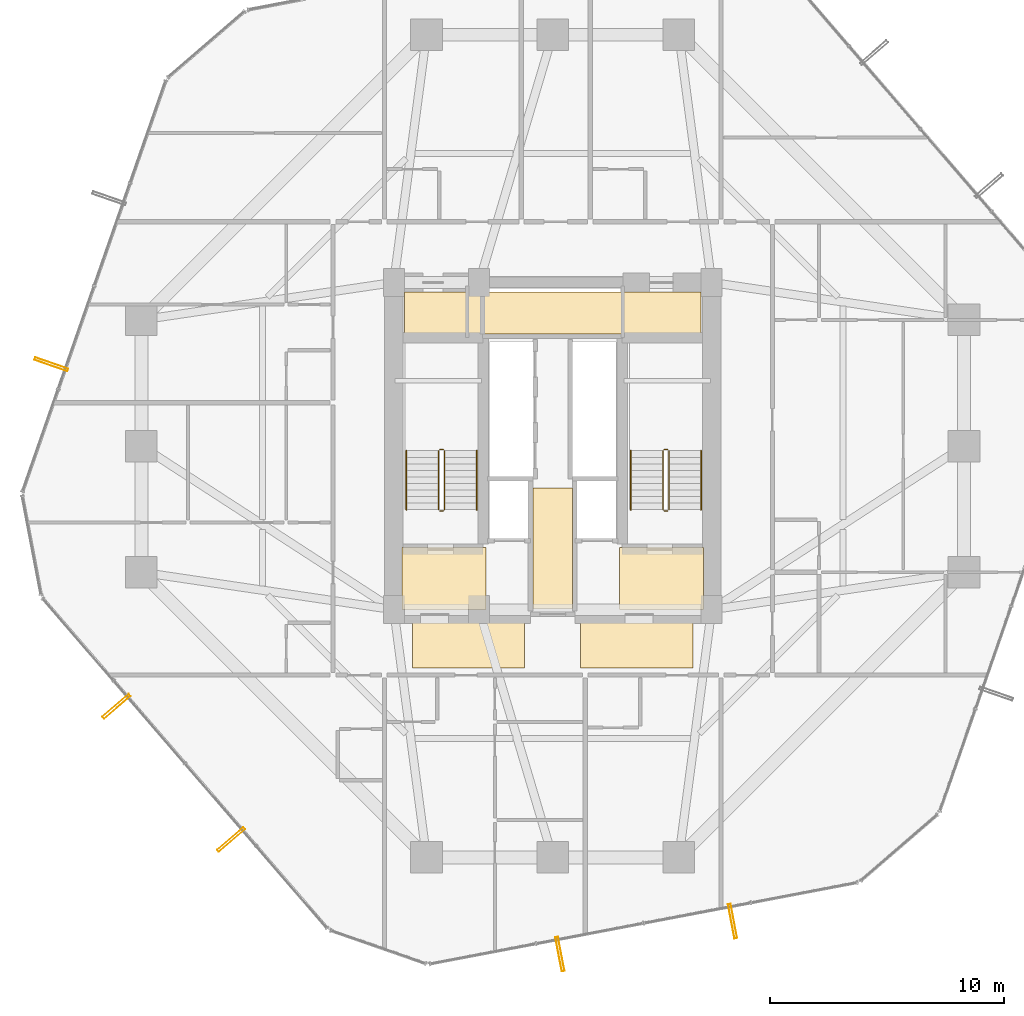
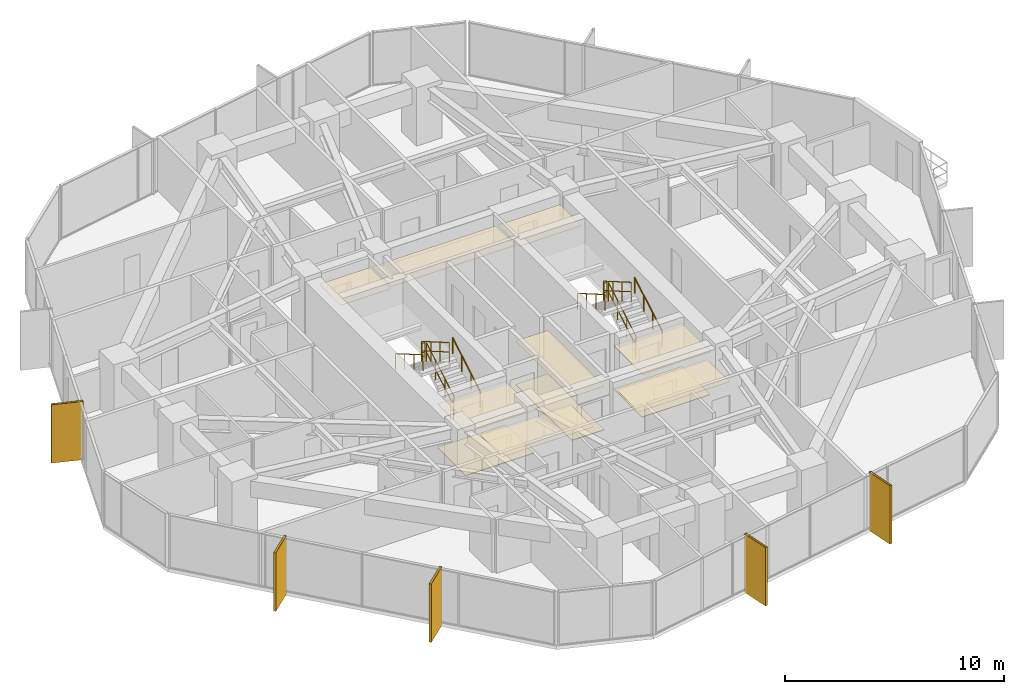
# One storey, part 37 of 38: 12 railings, 11 coverings, 5 shading devices.
"""IFC4 building model written with IfcOpenShell, lengths in metres."""

from ifc_helpers import new_model, si_unit, direction, frame, origin, origin_2d, place, context, subcontext, project, spatial, polyline, hollow_rectangle, circle, outline, extrude, material, layer, layer_set, material_profile, profile_set, type_object, element, save


model = new_model("IFC4")

# Units and contexts
model_context = context("Model", 3, precision=1e-05, world=origin(), true_north=direction((0.0, 1.0)))
body_context = subcontext(model_context, "Body", "Model", "MODEL_VIEW")
ifc_project = project(units=[si_unit("LENGTHUNIT", "METRE"), si_unit("AREAUNIT", "SQUARE_METRE"), si_unit("VOLUMEUNIT", "CUBIC_METRE"), si_unit("PLANEANGLEUNIT", "RADIAN"), si_unit("MASSUNIT", "GRAM", prefix="KILO")], contexts=[model_context])

# Site, building, storey
site_placement = place(None, origin())
site = spatial("IfcSite", under=ifc_project, at=site_placement, CompositionType="ELEMENT")
building_placement = place(site_placement, origin())
building = spatial("IfcBuilding", under=site, at=building_placement, Name="Veraguas Prism Commons", CompositionType="ELEMENT")
storey_placement = place(building_placement, frame((0.0, 0.0, 60.85009765625)))
storey = spatial("IfcBuildingStorey", under=building, at=storey_placement, Name="L16", CompositionType="ELEMENT", Elevation=60.85009765625)

# Shading devices
ifc_material_1 = material(Name="Anodised aluminium EN AW-6063 T6", Category="aluminium")
ifc_material_profile = material_profile(ifc_material_1, hollow_rectangle(XDim=0.1201171875, YDim=1.489990234375, WallThickness=0.006103515625, at=origin_2d()), Name="FIN120X1490X6")
ifc_profile_set = profile_set([ifc_material_profile], Name="Anodised aluminium EN AW-6063 T6")
shading_device_type = type_object("IfcShadingDeviceType", Name="Deep Pale-Metal Vertical Solar Fin 120x1490", PredefinedType="USERDEFINED", material=ifc_profile_set)
for number, where, z_axis, x_axis, name in (
    (1, (2.545654296875, 27.496826171875, -0.22998046875), (0.0, 0.0, 1.0), (-0.329197924284, -0.944260942032, 0.0), "Vertical Pale-Metal Solar Fin L16-F3B"),
    (2, (5.331787109375, 12.864013671875, -0.22998046875), (0.0, 0.0, 1.0), (0.653152358244, -0.757226516255, 0.0), "Vertical Pale-Metal Solar Fin L16-F4A"),
    (3, (10.244384765625, 7.16845703125, -0.22998046875), (0.0, 0.0, 1.0), (0.653152358244, -0.757226516255, 0.0), "Vertical Pale-Metal Solar Fin L16-F4B"),
    (4, (24.31005859375, 2.264892578125, -0.22998046875), (0.0, 0.0, 1.0), (0.982352925743, 0.187036705713, 0.0), "Vertical Pale-Metal Solar Fin L16-F5A"),
    (5, (31.69873046875, 3.671630859375, -0.22998046875), (0.0, 0.0, 1.0), (0.982352925743, 0.187036705713, 0.0), "Vertical Pale-Metal Solar Fin L16-F5B"),
):
    element("IfcShadingDevice", number, at=place(storey_placement, frame(where, z_axis=z_axis, x_axis=x_axis)), inside=storey, type_object=shading_device_type, Name=name, ObjectType="FIN", PredefinedType="USERDEFINED", context=body_context, shape_type="SweptSolid", body=[
        extrude(hollow_rectangle(XDim=0.1201171875, YDim=1.489990234375, WallThickness=0.006103515625, at=origin_2d()), origin(), (0.0, 0.0, 1.0), 3.25),
    ])

# Coverings
ifc_material_2 = material(Name="Acoustic gypsum board")
ifc_layer_1 = layer(ifc_material_2, 0.02490234375, Name="Perforated Acoustic Ceiling Tile 25")
ifc_layer_set_1 = layer_set([ifc_layer_1], Name="Acoustic gypsum board")
covering_type_1 = type_object("IfcCoveringType", Name="Perforated Acoustic Ceiling Tile 25", PredefinedType="USERDEFINED", material=ifc_layer_set_1)
covering_1_placement = place(storey_placement, frame((0.0, 0.0, 2.4248046875)))
element("IfcCovering", 6, at=covering_1_placement, inside=storey, type_object=covering_type_1, Name="East Lobby Acoustic Ceiling L16", ObjectType="ACOUSTIC CEILING", PredefinedType="USERDEFINED", context=body_context, shape_type="SweptSolid", body=[
    extrude(outline(polyline([(26.85009765625, 17.0), (30.449951171875, 17.0), (30.449951171875, 19.64990234375), (26.85009765625, 19.64990234375), (26.85009765625, 17.0)])), origin(), (0.0, 0.0, 1.0), 0.025146484375),
])
ifc_material_3 = material(Name="Terrazzo stone finish", Category="masonry")
ifc_layer_2 = layer(ifc_material_3, 0.030029296875, Name="Polished Terrazzo Floor Finish 30", Category="masonry")
ifc_layer_set_2 = layer_set([ifc_layer_2], Name="Terrazzo stone finish")
covering_type_2 = type_object("IfcCoveringType", Name="Polished Terrazzo Floor Finish 30", PredefinedType="FLOORING", material=ifc_layer_set_2)
covering_2_placement = place(storey_placement, origin())
element("IfcCovering", 7, at=covering_2_placement, inside=storey, type_object=covering_type_2, Name="Terrazzo Lobby Flooring L16", PredefinedType="FLOORING", context=body_context, shape_type="SweptSolid", body=[
    extrude(outline(polyline([(23.14990234375, 17.050048828125), (24.85009765625, 17.050048828125), (24.85009765625, 22.199951171875), (23.14990234375, 22.199951171875), (23.14990234375, 17.050048828125)])), origin(), (0.0, 0.0, 1.0), 0.02978515625),
])
covering_3_placement = place(storey_placement, origin())
element("IfcCovering", 8, at=covering_3_placement, inside=storey, type_object=covering_type_2, Name="West FF Lobby Terrazzo Flooring L16", PredefinedType="FLOORING", context=body_context, shape_type="SweptSolid", body=[
    extrude(outline(polyline([(17.550048828125, 17.050048828125), (21.14990234375, 17.050048828125), (21.14990234375, 19.64990234375), (17.550048828125, 19.64990234375), (17.550048828125, 17.050048828125)])), origin(), (0.0, 0.0, 1.0), 0.02978515625),
])
covering_4_placement = place(storey_placement, origin())
element("IfcCovering", 9, at=covering_4_placement, inside=storey, type_object=covering_type_2, Name="East FF Lobby Terrazzo Flooring L16", PredefinedType="FLOORING", context=body_context, shape_type="SweptSolid", body=[
    extrude(outline(polyline([(26.85009765625, 17.050048828125), (30.449951171875, 17.050048828125), (30.449951171875, 19.64990234375), (26.85009765625, 19.64990234375), (26.85009765625, 17.050048828125)])), origin(), (0.0, 0.0, 1.0), 0.02978515625),
])

# Railings
ifc_material_4 = material(Name="Stainless steel AISI 316", Category="steel")
railing_type_1 = type_object("IfcRailingType", Name="Stair and Ramp Stainless Handrail 900", PredefinedType="HANDRAIL", material=ifc_material_4)
railing_1_placement = place(storey_placement, frame((20.75, 21.280029296875, 0.162353515625)))
element("IfcRailing", 10, at=railing_1_placement, inside=storey, type_object=railing_type_1, Name="Stair Handrail ST-01 L16-1", PredefinedType="HANDRAIL", context=body_context, shape_type="SweptSolid", body=[
    extrude(circle(Radius=0.02392578125, at=origin_2d()), frame((0.0, 0.0, 0.8759765625), z_axis=(0.0, 0.864876961378, 0.501983905795), x_axis=(-1.0, 0.0, 0.0)), (0.0, 0.0, 1.0), 2.913818359375),
    extrude(circle(Radius=0.02099609375, at=origin_2d()), origin(), (0.0, 0.0, 1.0), 0.851806640625),
    extrude(circle(Radius=0.02099609375, at=origin_2d()), frame((0.0, 0.840087890625, 0.487548828125)), (0.0, 0.0, 1.0), 0.851806640625),
    extrude(circle(Radius=0.02099609375, at=origin_2d()), frame((0.0, 1.679931640625, 0.97509765625)), (0.0, 0.0, 1.0), 0.851806640625),
    extrude(circle(Radius=0.02099609375, at=origin_2d()), frame((0.0, 2.52001953125, 1.462646484375)), (0.0, 0.0, 1.0), 0.851806640625),
])
railing_2_placement = place(storey_placement, frame((17.739990234375, 23.800048828125, 1.787353515625)))
element("IfcRailing", 11, at=railing_2_placement, inside=storey, type_object=railing_type_1, Name="Stair Handrail ST-01 L16-2", PredefinedType="HANDRAIL", context=body_context, shape_type="SweptSolid", body=[
    extrude(circle(Radius=0.02392578125, at=origin_2d()), frame((0.0, 0.0, 0.8759765625), z_axis=(0.0, -0.864876961378, 0.501983905795), x_axis=(1.0, 0.0, 0.0)), (0.0, 0.0, 1.0), 2.913818359375),
    extrude(circle(Radius=0.02099609375, at=origin_2d()), origin(), (0.0, 0.0, 1.0), 0.851806640625),
    extrude(circle(Radius=0.02099609375, at=origin_2d()), frame((0.0, -0.840087890625, 0.487548828125)), (0.0, 0.0, 1.0), 0.851806640625),
    extrude(circle(Radius=0.02099609375, at=origin_2d()), frame((0.0, -1.679931640625, 0.97509765625)), (0.0, 0.0, 1.0), 0.851806640625),
    extrude(circle(Radius=0.02099609375, at=origin_2d()), frame((0.0, -2.52001953125, 1.462646484375)), (0.0, 0.0, 1.0), 0.851806640625),
])
railing_3_placement = place(storey_placement, frame((30.35009765625, 21.280029296875, 0.162353515625)))
element("IfcRailing", 12, at=railing_3_placement, inside=storey, type_object=railing_type_1, Name="Stair Handrail ST-02 L16-1", PredefinedType="HANDRAIL", context=body_context, shape_type="SweptSolid", body=[
    extrude(circle(Radius=0.02392578125, at=origin_2d()), frame((0.0, 0.0, 0.8759765625), z_axis=(0.0, 0.864876961378, 0.501983905795), x_axis=(-1.0, 0.0, 0.0)), (0.0, 0.0, 1.0), 2.913818359375),
    extrude(circle(Radius=0.02099609375, at=origin_2d()), origin(), (0.0, 0.0, 1.0), 0.851806640625),
    extrude(circle(Radius=0.02099609375, at=origin_2d()), frame((0.0, 0.840087890625, 0.487548828125)), (0.0, 0.0, 1.0), 0.851806640625),
    extrude(circle(Radius=0.02099609375, at=origin_2d()), frame((0.0, 1.679931640625, 0.97509765625)), (0.0, 0.0, 1.0), 0.851806640625),
    extrude(circle(Radius=0.02099609375, at=origin_2d()), frame((0.0, 2.52001953125, 1.462646484375)), (0.0, 0.0, 1.0), 0.851806640625),
])
railing_4_placement = place(storey_placement, frame((27.340087890625, 23.800048828125, 1.787353515625)))
element("IfcRailing", 13, at=railing_4_placement, inside=storey, type_object=railing_type_1, Name="Stair Handrail ST-02 L16-2", PredefinedType="HANDRAIL", context=body_context, shape_type="SweptSolid", body=[
    extrude(circle(Radius=0.02392578125, at=origin_2d()), frame((0.0, 0.0, 0.8759765625), z_axis=(0.0, -0.864876961378, 0.501983905795), x_axis=(1.0, 0.0, 0.0)), (0.0, 0.0, 1.0), 2.913818359375),
    extrude(circle(Radius=0.02099609375, at=origin_2d()), origin(), (0.0, 0.0, 1.0), 0.851806640625),
    extrude(circle(Radius=0.02099609375, at=origin_2d()), frame((0.0, -0.840087890625, 0.487548828125)), (0.0, 0.0, 1.0), 0.851806640625),
    extrude(circle(Radius=0.02099609375, at=origin_2d()), frame((0.0, -1.679931640625, 0.97509765625)), (0.0, 0.0, 1.0), 0.851806640625),
    extrude(circle(Radius=0.02099609375, at=origin_2d()), frame((0.0, -2.52001953125, 1.462646484375)), (0.0, 0.0, 1.0), 0.851806640625),
])
railing_type_2 = type_object("IfcRailingType", Name="Stairwell Safety Guardrail 1100", PredefinedType="GUARDRAIL", material=ifc_material_4)
railing_5_placement = place(storey_placement, frame((19.3701171875, 21.280029296875, 0.162353515625)))
element("IfcRailing", 14, at=railing_5_placement, inside=storey, type_object=railing_type_2, Name="Stair Guard ST-01 L16-1", PredefinedType="GUARDRAIL", context=body_context, shape_type="SweptSolid", body=[
    extrude(circle(Radius=0.02392578125, at=origin_2d()), frame((0.0, 0.0, 1.076171875), z_axis=(0.0, 0.864876961378, 0.501983905795), x_axis=(-1.0, 0.0, 0.0)), (0.0, 0.0, 1.0), 2.913818359375),
    extrude(circle(Radius=0.02392578125, at=origin_2d()), frame((0.0, 0.0, 0.550048828125), z_axis=(0.0, 0.864876961378, 0.501983905795), x_axis=(-1.0, 0.0, 0.0)), (0.0, 0.0, 1.0), 2.913818359375),
    extrude(circle(Radius=0.02099609375, at=origin_2d()), origin(), (0.0, 0.0, 1.0), 1.052001953125),
    extrude(circle(Radius=0.02099609375, at=origin_2d()), frame((0.0, 0.840087890625, 0.487548828125)), (0.0, 0.0, 1.0), 1.052001953125),
    extrude(circle(Radius=0.02099609375, at=origin_2d()), frame((0.0, 1.679931640625, 0.97509765625)), (0.0, 0.0, 1.0), 1.052001953125),
    extrude(circle(Radius=0.02099609375, at=origin_2d()), frame((0.0, 2.52001953125, 1.462646484375)), (0.0, 0.0, 1.0), 1.052001953125),
])
railing_6_placement = place(storey_placement, frame((19.320068359375, 23.85009765625, 1.625)))
element("IfcRailing", 15, at=railing_6_placement, inside=storey, type_object=railing_type_2, Name="Stair Guard ST-01 L16-2", PredefinedType="GUARDRAIL", context=body_context, shape_type="SweptSolid", body=[
    extrude(circle(Radius=0.02392578125, at=origin_2d()), frame((0.0, 0.0, 1.076171875), z_axis=(-1.0, 0.0, 0.0), x_axis=(0.0, -1.0, 0.0)), (0.0, 0.0, 1.0), 0.150146484375),
    extrude(circle(Radius=0.02392578125, at=origin_2d()), frame((0.0, 0.0, 0.550048828125), z_axis=(-1.0, 0.0, 0.0), x_axis=(0.0, -1.0, 0.0)), (0.0, 0.0, 1.0), 0.150146484375),
    extrude(circle(Radius=0.02099609375, at=origin_2d()), origin(), (0.0, 0.0, 1.0), 1.052001953125),
    extrude(circle(Radius=0.02099609375, at=origin_2d()), frame((-0.150146484375, 0.0, 0.0)), (0.0, 0.0, 1.0), 1.052001953125),
])
railing_7_placement = place(storey_placement, frame((19.1201171875, 23.800048828125, 1.787353515625)))
element("IfcRailing", 16, at=railing_7_placement, inside=storey, type_object=railing_type_2, Name="Stair Guard ST-01 L16-3", PredefinedType="GUARDRAIL", context=body_context, shape_type="SweptSolid", body=[
    extrude(circle(Radius=0.02392578125, at=origin_2d()), frame((0.0, 0.0, 1.076171875), z_axis=(0.0, -0.864876961378, 0.501983905795), x_axis=(1.0, 0.0, 0.0)), (0.0, 0.0, 1.0), 2.913818359375),
    extrude(circle(Radius=0.02392578125, at=origin_2d()), frame((0.0, 0.0, 0.550048828125), z_axis=(0.0, -0.864876961378, 0.501983905795), x_axis=(1.0, 0.0, 0.0)), (0.0, 0.0, 1.0), 2.913818359375),
    extrude(circle(Radius=0.02099609375, at=origin_2d()), origin(), (0.0, 0.0, 1.0), 1.052001953125),
    extrude(circle(Radius=0.02099609375, at=origin_2d()), frame((0.0, -0.840087890625, 0.487548828125)), (0.0, 0.0, 1.0), 1.052001953125),
    extrude(circle(Radius=0.02099609375, at=origin_2d()), frame((0.0, -1.679931640625, 0.97509765625)), (0.0, 0.0, 1.0), 1.052001953125),
    extrude(circle(Radius=0.02099609375, at=origin_2d()), frame((0.0, -2.52001953125, 1.462646484375)), (0.0, 0.0, 1.0), 1.052001953125),
])
railing_8_placement = place(storey_placement, frame((19.320068359375, 21.22998046875, 0.0)))
element("IfcRailing", 17, at=railing_8_placement, inside=storey, type_object=railing_type_2, Name="Stair Guard ST-01 L16-4", PredefinedType="GUARDRAIL", context=body_context, shape_type="SweptSolid", body=[
    extrude(circle(Radius=0.02392578125, at=origin_2d()), frame((0.0, 0.0, 1.076171875), z_axis=(-1.0, 0.0, 0.0), x_axis=(0.0, -1.0, 0.0)), (0.0, 0.0, 1.0), 0.150146484375),
    extrude(circle(Radius=0.02392578125, at=origin_2d()), frame((0.0, 0.0, 0.550048828125), z_axis=(-1.0, 0.0, 0.0), x_axis=(0.0, -1.0, 0.0)), (0.0, 0.0, 1.0), 0.150146484375),
    extrude(circle(Radius=0.02099609375, at=origin_2d()), origin(), (0.0, 0.0, 1.0), 1.052001953125),
    extrude(circle(Radius=0.02099609375, at=origin_2d()), frame((-0.150146484375, 0.0, 0.0)), (0.0, 0.0, 1.0), 1.052001953125),
])
railing_9_placement = place(storey_placement, frame((28.969970703125, 21.280029296875, 0.162353515625)))
element("IfcRailing", 18, at=railing_9_placement, inside=storey, type_object=railing_type_2, Name="Stair Guard ST-02 L16-1", PredefinedType="GUARDRAIL", context=body_context, shape_type="SweptSolid", body=[
    extrude(circle(Radius=0.02392578125, at=origin_2d()), frame((0.0, 0.0, 1.076171875), z_axis=(0.0, 0.864876961378, 0.501983905795), x_axis=(-1.0, 0.0, 0.0)), (0.0, 0.0, 1.0), 2.913818359375),
    extrude(circle(Radius=0.02392578125, at=origin_2d()), frame((0.0, 0.0, 0.550048828125), z_axis=(0.0, 0.864876961378, 0.501983905795), x_axis=(-1.0, 0.0, 0.0)), (0.0, 0.0, 1.0), 2.913818359375),
    extrude(circle(Radius=0.02099609375, at=origin_2d()), origin(), (0.0, 0.0, 1.0), 1.052001953125),
    extrude(circle(Radius=0.02099609375, at=origin_2d()), frame((0.0, 0.840087890625, 0.487548828125)), (0.0, 0.0, 1.0), 1.052001953125),
    extrude(circle(Radius=0.02099609375, at=origin_2d()), frame((0.0, 1.679931640625, 0.97509765625)), (0.0, 0.0, 1.0), 1.052001953125),
    extrude(circle(Radius=0.02099609375, at=origin_2d()), frame((0.0, 2.52001953125, 1.462646484375)), (0.0, 0.0, 1.0), 1.052001953125),
])
railing_10_placement = place(storey_placement, frame((28.919921875, 23.85009765625, 1.625)))
element("IfcRailing", 19, at=railing_10_placement, inside=storey, type_object=railing_type_2, Name="Stair Guard ST-02 L16-2", PredefinedType="GUARDRAIL", context=body_context, shape_type="SweptSolid", body=[
    extrude(circle(Radius=0.02392578125, at=origin_2d()), frame((0.0, 0.0, 1.076171875), z_axis=(-1.0, 0.0, 0.0), x_axis=(0.0, -1.0, 0.0)), (0.0, 0.0, 1.0), 0.14990234375),
    extrude(circle(Radius=0.02392578125, at=origin_2d()), frame((0.0, 0.0, 0.550048828125), z_axis=(-1.0, 0.0, 0.0), x_axis=(0.0, -1.0, 0.0)), (0.0, 0.0, 1.0), 0.14990234375),
    extrude(circle(Radius=0.02099609375, at=origin_2d()), origin(), (0.0, 0.0, 1.0), 1.052001953125),
    extrude(circle(Radius=0.02099609375, at=origin_2d()), frame((-0.14990234375, 0.0, 0.0)), (0.0, 0.0, 1.0), 1.052001953125),
])
railing_11_placement = place(storey_placement, frame((28.719970703125, 23.800048828125, 1.787353515625)))
element("IfcRailing", 20, at=railing_11_placement, inside=storey, type_object=railing_type_2, Name="Stair Guard ST-02 L16-3", PredefinedType="GUARDRAIL", context=body_context, shape_type="SweptSolid", body=[
    extrude(circle(Radius=0.02392578125, at=origin_2d()), frame((0.0, 0.0, 1.076171875), z_axis=(0.0, -0.864876961378, 0.501983905795), x_axis=(1.0, 0.0, 0.0)), (0.0, 0.0, 1.0), 2.913818359375),
    extrude(circle(Radius=0.02392578125, at=origin_2d()), frame((0.0, 0.0, 0.550048828125), z_axis=(0.0, -0.864876961378, 0.501983905795), x_axis=(1.0, 0.0, 0.0)), (0.0, 0.0, 1.0), 2.913818359375),
    extrude(circle(Radius=0.02099609375, at=origin_2d()), origin(), (0.0, 0.0, 1.0), 1.052001953125),
    extrude(circle(Radius=0.02099609375, at=origin_2d()), frame((0.0, -0.840087890625, 0.487548828125)), (0.0, 0.0, 1.0), 1.052001953125),
    extrude(circle(Radius=0.02099609375, at=origin_2d()), frame((0.0, -1.679931640625, 0.97509765625)), (0.0, 0.0, 1.0), 1.052001953125),
    extrude(circle(Radius=0.02099609375, at=origin_2d()), frame((0.0, -2.52001953125, 1.462646484375)), (0.0, 0.0, 1.0), 1.052001953125),
])
railing_12_placement = place(storey_placement, frame((28.919921875, 21.22998046875, 0.0)))
element("IfcRailing", 21, at=railing_12_placement, inside=storey, type_object=railing_type_2, Name="Stair Guard ST-02 L16-4", PredefinedType="GUARDRAIL", context=body_context, shape_type="SweptSolid", body=[
    extrude(circle(Radius=0.02392578125, at=origin_2d()), frame((0.0, 0.0, 1.076171875), z_axis=(-1.0, 0.0, 0.0), x_axis=(0.0, -1.0, 0.0)), (0.0, 0.0, 1.0), 0.14990234375),
    extrude(circle(Radius=0.02392578125, at=origin_2d()), frame((0.0, 0.0, 0.550048828125), z_axis=(-1.0, 0.0, 0.0), x_axis=(0.0, -1.0, 0.0)), (0.0, 0.0, 1.0), 0.14990234375),
    extrude(circle(Radius=0.02099609375, at=origin_2d()), origin(), (0.0, 0.0, 1.0), 1.052001953125),
    extrude(circle(Radius=0.02099609375, at=origin_2d()), frame((-0.14990234375, 0.0, 0.0)), (0.0, 0.0, 1.0), 1.052001953125),
])

# Coverings
ifc_layer_3 = layer(ifc_material_2, 0.02001953125, Name="Suspended Gypsum Ceiling 20")
ifc_layer_set_3 = layer_set([ifc_layer_3], Name="Acoustic gypsum board")
covering_type_3 = type_object("IfcCoveringType", Name="Suspended Gypsum Ceiling 20", PredefinedType="CEILING", material=ifc_layer_set_3)
covering_5_placement = place(storey_placement, frame((0.0, 0.0, 2.429931640625)))
element("IfcCovering", 22, at=covering_5_placement, inside=storey, type_object=covering_type_3, Name="West Lobby Suspended Gypsum Ceiling L16", PredefinedType="CEILING", context=body_context, shape_type="SweptSolid", body=[
    extrude(outline(polyline([(17.550048828125, 17.0), (21.14990234375, 17.0), (21.14990234375, 19.64990234375), (17.550048828125, 19.64990234375), (17.550048828125, 17.0)])), origin(), (0.0, 0.0, 1.0), 0.02001953125),
])
covering_6_placement = place(storey_placement, frame((0.0, 0.0, 2.429931640625)))
element("IfcCovering", 23, at=covering_6_placement, inside=storey, type_object=covering_type_3, Name="Core Lobby Acoustic Ceiling L16-1", PredefinedType="CEILING", context=body_context, shape_type="SweptSolid", body=[
    extrude(outline(polyline([(18.0, 14.5), (22.800048828125, 14.5), (22.800048828125, 16.550048828125), (18.0, 16.550048828125), (18.0, 14.5)])), origin(), (0.0, 0.0, 1.0), 0.02001953125),
])
covering_7_placement = place(storey_placement, frame((0.0, 0.0, 2.429931640625)))
element("IfcCovering", 24, at=covering_7_placement, inside=storey, type_object=covering_type_3, Name="Core Lobby Acoustic Ceiling L16-2", PredefinedType="CEILING", context=body_context, shape_type="SweptSolid", body=[
    extrude(outline(polyline([(25.199951171875, 14.5), (30.0, 14.5), (30.0, 16.550048828125), (25.199951171875, 16.550048828125), (25.199951171875, 14.5)])), origin(), (0.0, 0.0, 1.0), 0.02001953125),
])
covering_8_placement = place(storey_placement, frame((0.0, 0.0, 2.429931640625)))
element("IfcCovering", 25, at=covering_8_placement, inside=storey, type_object=covering_type_3, Name="Core Lobby Acoustic Ceiling L16-3", PredefinedType="CEILING", context=body_context, shape_type="SweptSolid", body=[
    extrude(outline(polyline([(23.14990234375, 17.050048828125), (24.85009765625, 17.050048828125), (24.85009765625, 22.199951171875), (23.14990234375, 22.199951171875), (23.14990234375, 17.050048828125)])), origin(), (0.0, 0.0, 1.0), 0.02001953125),
])
covering_9_placement = place(storey_placement, frame((0.0, 0.0, 2.429931640625)))
element("IfcCovering", 26, at=covering_9_placement, inside=storey, type_object=covering_type_3, Name="Core Lobby Acoustic Ceiling L16-4", PredefinedType="CEILING", context=body_context, shape_type="SweptSolid", body=[
    extrude(outline(polyline([(17.64990234375, 28.64990234375), (20.300048828125, 28.64990234375), (20.300048828125, 30.60009765625), (17.64990234375, 30.60009765625), (17.64990234375, 28.64990234375)])), origin(), (0.0, 0.0, 1.0), 0.02001953125),
])
covering_10_placement = place(storey_placement, frame((0.0, 0.0, 2.429931640625)))
element("IfcCovering", 27, at=covering_10_placement, inside=storey, type_object=covering_type_3, Name="Core Lobby Acoustic Ceiling L16-5", PredefinedType="CEILING", context=body_context, shape_type="SweptSolid", body=[
    extrude(outline(polyline([(27.050048828125, 28.64990234375), (30.35009765625, 28.64990234375), (30.35009765625, 30.60009765625), (27.050048828125, 30.60009765625), (27.050048828125, 28.64990234375)])), origin(), (0.0, 0.0, 1.0), 0.02001953125),
])
covering_11_placement = place(storey_placement, frame((0.0, 0.0, 2.429931640625)))
element("IfcCovering", 28, at=covering_11_placement, inside=storey, type_object=covering_type_3, Name="Core Lobby Acoustic Ceiling L16-6", PredefinedType="CEILING", context=body_context, shape_type="SweptSolid", body=[
    extrude(outline(polyline([(20.39990234375, 28.800048828125), (26.949951171875, 28.800048828125), (26.949951171875, 30.60009765625), (20.39990234375, 30.60009765625), (20.39990234375, 28.800048828125)])), origin(), (0.0, 0.0, 1.0), 0.02001953125),
])

save(model, "model.ifc")
